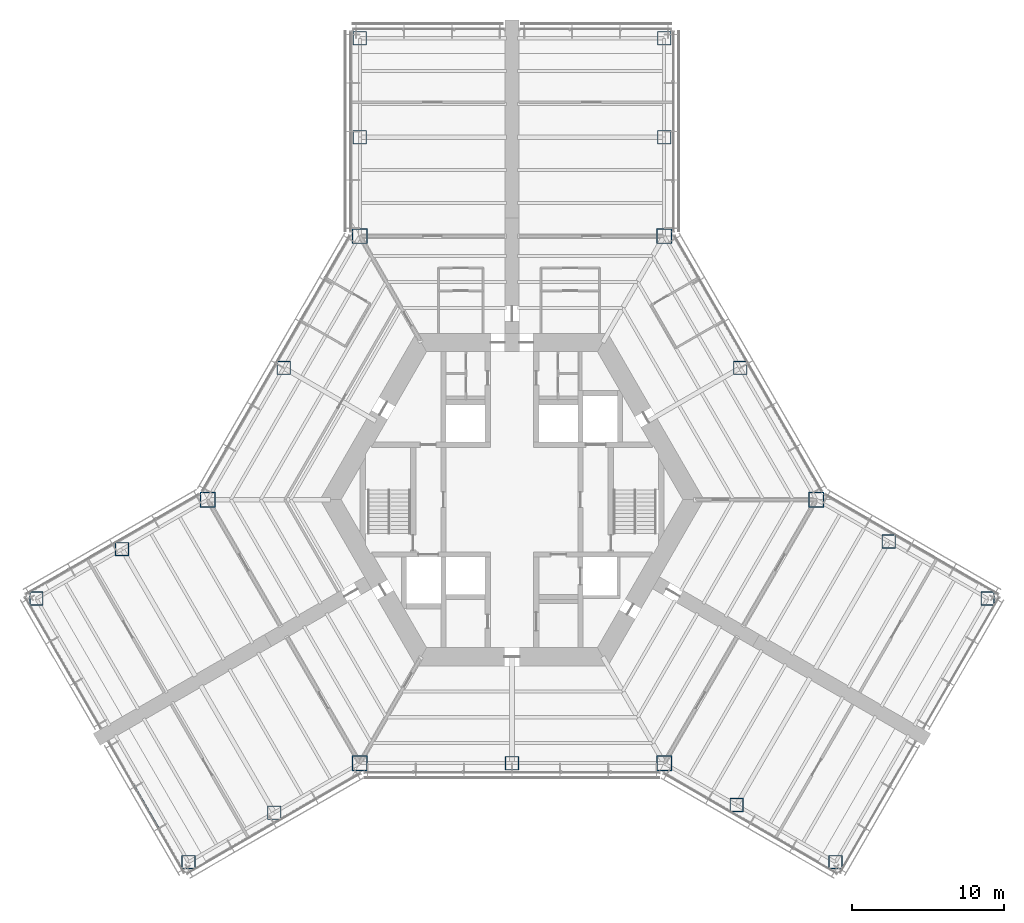
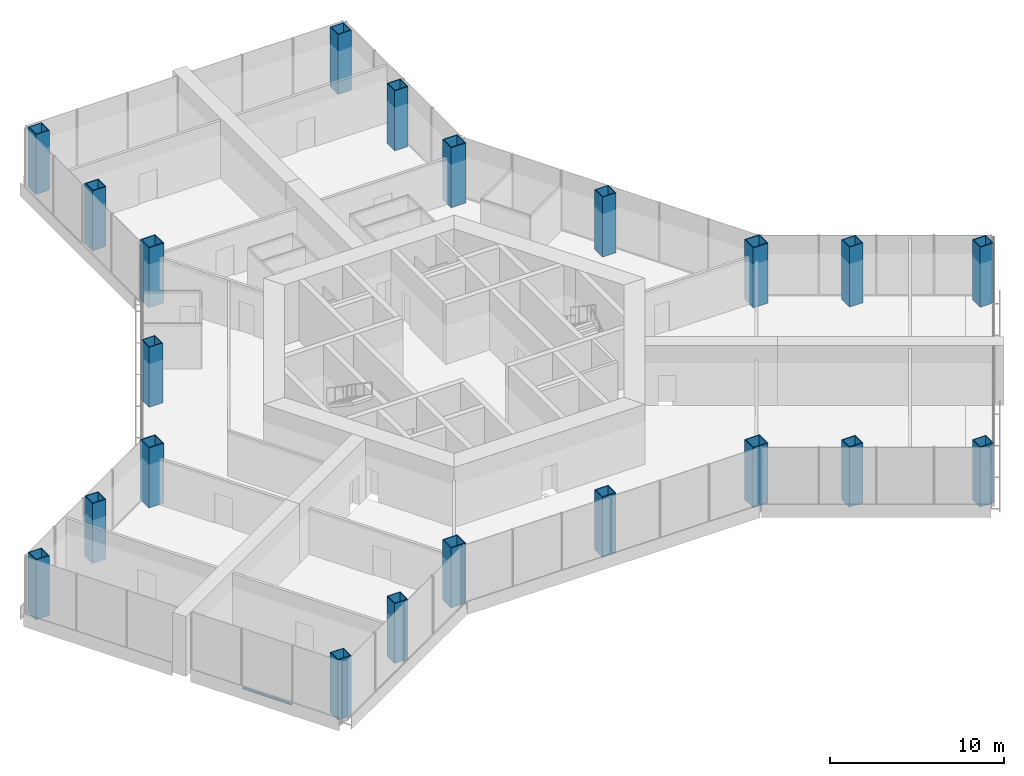
# One storey, part 1 of 16: 21 columns, 1 member, 1 element without a shape of its own.
"""IFC4 building model written with IfcOpenShell, lengths in metres."""

from ifc_helpers import new_model, si_unit, direction, frame, origin, origin_2d, place, context, subcontext, project, spatial, rectangle, hollow_rectangle, extrude, material, material_profile, profile_set, type_object, element, aggregate, save


model = new_model("IFC4")

# Units and contexts
model_context = context("Model", 3, precision=1e-05, world=origin(), true_north=direction((0.0, 1.0)))
body_context = subcontext(model_context, "Body", "Model", "MODEL_VIEW")
ifc_project = project(units=[si_unit("LENGTHUNIT", "METRE"), si_unit("AREAUNIT", "SQUARE_METRE"), si_unit("VOLUMEUNIT", "CUBIC_METRE"), si_unit("PLANEANGLEUNIT", "RADIAN"), si_unit("MASSUNIT", "GRAM", prefix="KILO")], contexts=[model_context])

# Site, building, storey
site_placement = place(None, origin())
site = spatial("IfcSite", under=ifc_project, at=site_placement, CompositionType="ELEMENT")
building_placement = place(site_placement, origin())
building = spatial("IfcBuilding", under=site, at=building_placement, Name="Kasaneha Research Tower", CompositionType="ELEMENT")
storey_placement = place(building_placement, frame((0.0, 0.0, 14.199951171875)))
storey = spatial("IfcBuildingStorey", under=building, at=storey_placement, Name="L04", CompositionType="ELEMENT", Elevation=14.199951171875)

# Columns
ifc_material_1 = material(Name="Steel SN490C", Category="steel")
ifc_material_profile_1 = material_profile(ifc_material_1, hollow_rectangle(XDim=1.0, YDim=1.0, WallThickness=0.06005859375, at=origin_2d()), Name="BOX-1000x1000x60")
ifc_profile_set_1 = profile_set([ifc_material_profile_1], Name="Steel SN490C")
column_type_1 = type_object("IfcColumnType", Name="C1A column BOX-1000x1000x60", PredefinedType="COLUMN", material=ifc_profile_set_1)
for number, where, z_axis, x_axis, name in (
    (1, (20.0, 0.0, 0.0), (0.0, 0.0, 1.0), (1.0, 0.0, 0.0), "Column V0 L04"),
    (2, (10.0, 17.320556640625, 0.0), (0.0, 0.0, 1.0), (1.0, 0.0, 0.0), "Column V1 L04"),
    (3, (-10.0, 17.320556640625, 0.0), (0.0, 0.0, 1.0), (1.0, 0.0, 0.0), "Column V2 L04"),
    (4, (-20.0, 0.0, 0.0), (0.0, 0.0, 1.0), (1.0, 0.0, 0.0), "Column V3 L04"),
    (5, (-10.0, -17.320556640625, 0.0), (0.0, 0.0, 1.0), (1.0, 0.0, 0.0), "Column V4 L04"),
    (6, (10.0, -17.320556640625, 0.0), (0.0, 0.0, 1.0), (1.0, 0.0, 0.0), "Column V5 L04"),
):
    element("IfcColumn", number, at=place(storey_placement, frame(where, z_axis=z_axis, x_axis=x_axis)), inside=storey, type_object=column_type_1, Name=name, PredefinedType="COLUMN", context=body_context, shape_type="SweptSolid", body=[
        extrude(hollow_rectangle(XDim=1.0, YDim=1.0, WallThickness=0.06005859375, at=origin_2d()), origin(), (0.0, 0.0, 1.0), 4.199951171875),
    ])
ifc_material_2 = material(Name="Steel SN490C", Category="steel")
ifc_material_profile_2 = material_profile(ifc_material_2, hollow_rectangle(XDim=0.89990234375, YDim=0.89990234375, WallThickness=0.050048828125, at=origin_2d()), Name="BOX-900x900x50")
ifc_profile_set_2 = profile_set([ifc_material_profile_2], Name="Steel SN490C")
column_type_2 = type_object("IfcColumnType", Name="C1B column BOX-900x900x50", PredefinedType="COLUMN", material=ifc_profile_set_2)
for number, where, z_axis, x_axis, name in (
    (7, (15.0, 8.66015625, 0.0), (0.0, 0.0, 1.0), (1.0, 0.0, 0.0), "Column M030 L04"),
    (8, (-15.0, 8.66015625, 0.0), (0.0, 0.0, 1.0), (1.0, 0.0, 0.0), "Column M150 L04"),
    (9, (0.0, -17.320556640625, 0.0), (0.0, 0.0, 1.0), (1.0, 0.0, 0.0), "Column M270 L04"),
    (10, (10.0, 23.820556640625, 0.0), (0.0, 0.0, 1.0), (1.0, 0.0, 0.0), "Column ASP L04"),
    (11, (10.0, 30.320556640625, 0.0), (0.0, 0.0, 1.0), (1.0, 0.0, 0.0), "Column ATP L04"),
    (12, (-10.0, 23.820556640625, 0.0), (0.0, 0.0, 1.0), (1.0, 0.0, 0.0), "Column ASN L04"),
    (13, (-10.0, 30.320556640625, 0.0), (0.0, 0.0, 1.0), (1.0, 0.0, 0.0), "Column ATN L04"),
    (14, (-25.629150390625, -3.25, 0.0), (0.0, 0.0, 1.0), (1.0, 0.0, 0.0), "Column BSP L04"),
    (15, (-31.25830078125, -6.5, 0.0), (0.0, 0.0, 1.0), (1.0, 0.0, 0.0), "Column BTP L04"),
    (16, (-15.629150390625, -20.570556640625, 0.0), (0.0, 0.0, 1.0), (1.0, 0.0, 0.0), "Column BSN L04"),
    (17, (-21.25830078125, -23.820556640625, 0.0), (0.0, 0.0, 1.0), (1.0, 0.0, 0.0), "Column BTN L04"),
    (18, (14.76318359375, -20.070556640625, 0.0), (0.0, 0.0, 1.0), (1.0, 0.0, 0.0), "Column CSP L04"),
    (19, (21.25830078125, -23.820556640625, 0.0), (0.0, 0.0, 1.0), (1.0, 0.0, 0.0), "Column CTP L04"),
    (20, (24.76318359375, -2.75, 0.0), (0.0, 0.0, 1.0), (1.0, 0.0, 0.0), "Column CSN L04"),
    (21, (31.25830078125, -6.5, 0.0), (0.0, 0.0, 1.0), (1.0, 0.0, 0.0), "Column CTN L04"),
):
    element("IfcColumn", number, at=place(storey_placement, frame(where, z_axis=z_axis, x_axis=x_axis)), inside=storey, type_object=column_type_2, Name=name, PredefinedType="COLUMN", context=body_context, shape_type="SweptSolid", body=[
        extrude(hollow_rectangle(XDim=0.89990234375, YDim=0.89990234375, WallThickness=0.050048828125, at=origin_2d()), origin(), (0.0, 0.0, 1.0), 4.199951171875),
    ])

# Curtain wall, member
ifc_material_3 = material(Name="Glass and aluminium", Category="aluminium")
curtain_wall_type = type_object("IfcCurtainWallType", Name="Wet laboratory curtain wall", PredefinedType="USERDEFINED", material=ifc_material_3)
curtain_wall_placement = place(storey_placement, origin())
curtain_wall = element("IfcCurtainWall", 22, at=curtain_wall_placement, inside=storey, type_object=curtain_wall_type, Name="CW-L1 L04 run 15a", ObjectType="UNITISED CURTAIN WALL", PredefinedType="USERDEFINED")
ifc_material_4 = material(Name="Aluminium 6063-T6", Category="aluminium")
ifc_material_profile_3 = material_profile(ifc_material_4, rectangle(XDim=0.139892578125, YDim=0.06494140625, at=origin_2d()), Name="CW-L1 transom 140x65")
ifc_profile_set_3 = profile_set([ifc_material_profile_3], Name="Aluminium 6063-T6")
member_type = type_object("IfcMemberType", Name="CW-L1 transom", PredefinedType="USERDEFINED", material=ifc_profile_set_3)
member_placement = place(storey_placement, frame((-24.86181640625, -18.779296875, 0.032470703125), z_axis=(0.50000765355, -0.86602098496, 0.0), x_axis=(0.86602098496, 0.50000765355, 0.0)))
member = element("IfcMember", 23, at=member_placement, type_object=member_type, Name="CW-L1 transom 2", ObjectType="TRANSOM", PredefinedType="USERDEFINED", context=body_context, shape_type="SweptSolid", body=[
    extrude(rectangle(XDim=0.139892578125, YDim=0.06494140625, at=origin_2d()), origin(), (0.0, 0.0, 1.0), 3.28515625),
])
aggregate(curtain_wall, [member])

save(model, "model.ifc")
